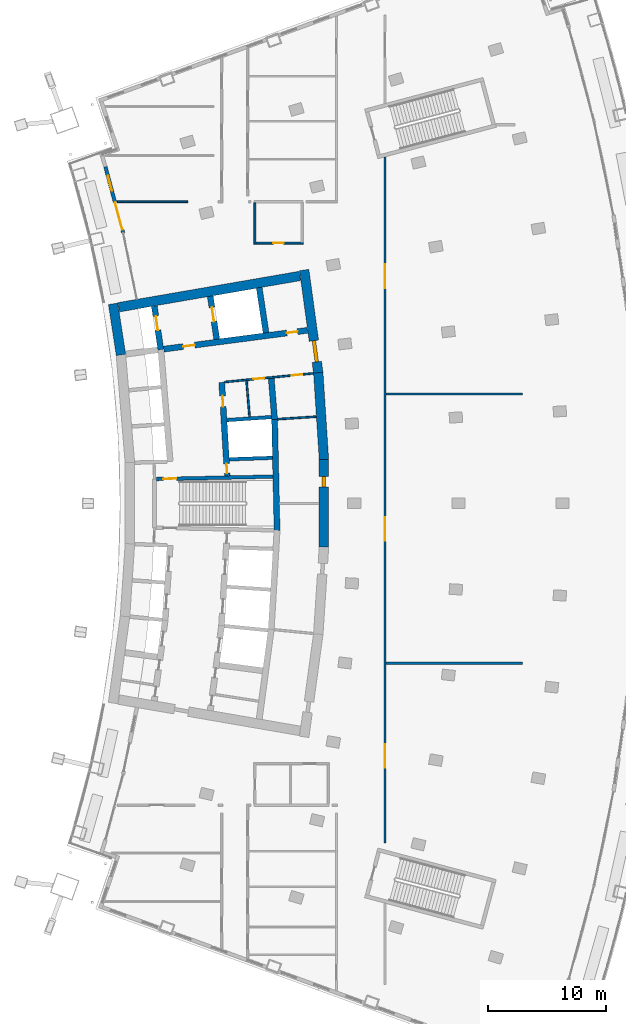
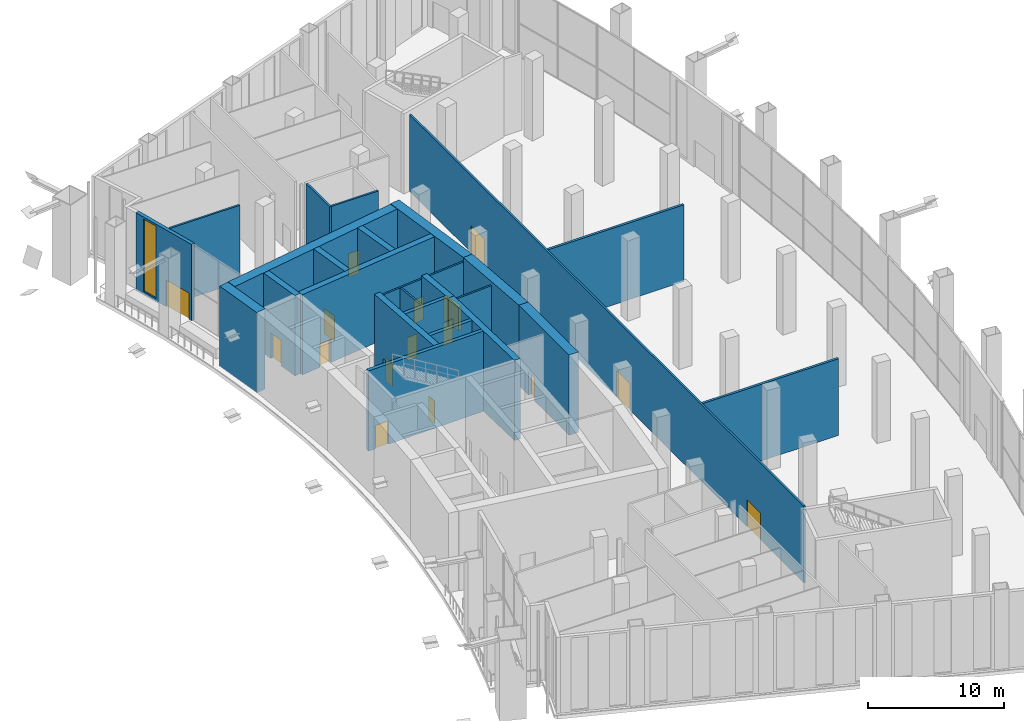
# One storey, part 18 of 27: 25 walls, 16 doors, 1 window, 17 openings.
"""IFC4 building model written with IfcOpenShell, lengths in metres."""

from ifc_helpers import new_model, si_unit, direction, frame, frame_2d, origin, place, context, subcontext, project, spatial, rectangle, extrude, material, layer, layer_set, type_object, element, fill, save


model = new_model("IFC4")

# Units and contexts
model_context = context("Model", 3, precision=1e-05, world=origin(), true_north=direction((0.0, 1.0)))
body_context = subcontext(model_context, "Body", "Model", "MODEL_VIEW")
ifc_project = project(units=[si_unit("LENGTHUNIT", "METRE"), si_unit("AREAUNIT", "SQUARE_METRE"), si_unit("VOLUMEUNIT", "CUBIC_METRE"), si_unit("PLANEANGLEUNIT", "RADIAN"), si_unit("MASSUNIT", "GRAM", prefix="KILO")], contexts=[model_context])

# Site, building, storey
site_placement = place(None, origin())
site = spatial("IfcSite", under=ifc_project, at=site_placement, CompositionType="ELEMENT")
building_placement = place(site_placement, origin())
building = spatial("IfcBuilding", under=site, at=building_placement, Name="Alderwake Tower", CompositionType="ELEMENT")
storey_placement = place(building_placement, frame((0.0, 0.0, 75.199951171875)))
storey = spatial("IfcBuildingStorey", under=building, at=storey_placement, Name="L18", CompositionType="ELEMENT", Elevation=75.199951171875)

# Walls
ifc_material_1 = material(Name="Gypsum shaft wall system, rated")
ifc_layer_1 = layer(ifc_material_1, 0.14990234375)
ifc_layer_set_1 = layer_set([ifc_layer_1], Name="Core room partition 150")
wall_type_1 = type_object("IfcWallType", Name="Core room partition 150", PredefinedType="PARTITIONING", material=ifc_layer_set_1)
wall_1_placement = place(storey_placement, frame((26.94970703125, 68.3203125, 0.0), z_axis=(0.0, 0.0, 1.0), x_axis=(-0.082463525817, 0.996594083321, 0.0)))
element("IfcWall", 1, at=wall_1_placement, inside=storey, type_object=wall_type_1, Name="CW/L18/PA+107_+70", PredefinedType="PARTITIONING", context=body_context, shape_type="SweptSolid", body=[
    extrude(rectangle(XDim=3.055419921875, YDim=0.14990234375, at=frame_2d((1.52783203125, 0.0))), origin(), (0.0, 0.0, 1.0), 6.880126953125),
])
wall_2_placement = place(storey_placement, frame((29.318603515625, 68.11865234375, 0.0), z_axis=(0.0, 0.0, 1.0), x_axis=(0.997885072108, 0.065002945035, 0.0)))
element("IfcWall", 2, at=wall_2_placement, inside=storey, type_object=wall_type_1, Name="CW/L18/PR+68_+128", PredefinedType="PARTITIONING", context=body_context, shape_type="SweptSolid", body=[
    extrude(rectangle(XDim=3.260009765625, YDim=0.14990234375, at=frame_2d((1.6298828125, 0.0))), origin(), (0.0, 0.0, 1.0), 6.880126953125),
])

# Wall, openings, doors
wall_3_placement = place(storey_placement, frame((32.333251953125, 71.991943359375, 0.0), z_axis=(0.0, 0.0, 1.0), x_axis=(-0.995248348328, -0.097369015353, 0.0)))
wall_3 = element("IfcWall", 3, at=wall_3_placement, inside=storey, type_object=wall_type_1, Name="CW/L18/PR+102_+86", PredefinedType="PARTITIONING", context=body_context, shape_type="SweptSolid", body=[
    extrude(rectangle(XDim=7.51953125, YDim=0.14990234375, at=frame_2d((3.759765625, 0.0))), origin(), (0.0, 0.0, 1.0), 6.880126953125),
])
opening_1_placement = place(wall_3_placement, frame((4.169921875, 0.0, 0.0)))
opening_1 = element("IfcOpeningElement", 4, at=opening_1_placement, cuts=wall_3, Name="Opening C022", PredefinedType="OPENING", context=body_context, shape_type="SweptSolid", body=[
    extrude(rectangle(XDim=0.89990234375, YDim=2.10009765625, at=frame_2d((0.449951171875, 1.050048828125))), frame((0.0, 0.0849609375, 0.0), z_axis=(0.0, -1.0, 0.0), x_axis=(1.0, 0.0, 0.0)), (0.0, 0.0, 1.0), 0.169921875),
])
opening_2_placement = place(wall_3_placement, frame((0.919921875, 0.0, 0.0)))
opening_2 = element("IfcOpeningElement", 5, at=opening_2_placement, cuts=wall_3, Name="Opening C036", PredefinedType="OPENING", context=body_context, shape_type="SweptSolid", body=[
    extrude(rectangle(XDim=0.89990234375, YDim=2.10009765625, at=frame_2d((0.449951171875, 1.050048828125))), frame((0.0, 0.0849609375, 0.0), z_axis=(0.0, -1.0, 0.0), x_axis=(1.0, 0.0, 0.0)), (0.0, 0.0, 1.0), 0.169921875),
])
ifc_material_2 = material(Name="Painted steel leaf", Category="steel")
door_type_1 = type_object("IfcDoorType", Name="Core room door 900", OperationType="SINGLE_SWING_LEFT", PredefinedType="DOOR", material=ifc_material_2)
door_1_placement = place(opening_1_placement, origin())
door_1 = element("IfcDoor", 6, at=door_1_placement, inside=storey, type_object=door_type_1, Name="Room door", OperationType="SINGLE_SWING_RIGHT", OverallHeight=2.10009765625, OverallWidth=0.89990234375, PredefinedType="DOOR", context=body_context, shape_type="SweptSolid", body=[
    extrude(rectangle(XDim=0.89990234375, YDim=2.10009765625, at=frame_2d((0.449951171875, 1.050048828125))), frame((0.0, 0.02490234375, 0.0), z_axis=(0.0, -1.0, 0.0), x_axis=(1.0, 0.0, 0.0)), (0.0, 0.0, 1.0), 0.050048828125),
])
fill(opening_1, door_1)
door_2_placement = place(opening_2_placement, origin())
door_2 = element("IfcDoor", 7, at=door_2_placement, inside=storey, type_object=door_type_1, Name="Room door", OperationType="SINGLE_SWING_RIGHT", OverallHeight=2.10009765625, OverallWidth=0.89990234375, PredefinedType="DOOR", context=body_context, shape_type="SweptSolid", body=[
    extrude(rectangle(XDim=0.89990234375, YDim=2.10009765625, at=frame_2d((0.449951171875, 1.050048828125))), frame((0.0, 0.02490234375, 0.0), z_axis=(0.0, -1.0, 0.0), x_axis=(1.0, 0.0, 0.0)), (0.0, 0.0, 1.0), 0.050048828125),
])
fill(opening_2, door_2)

# Wall
ifc_material_3 = material(Name="Concrete C70/85", Category="concrete")
ifc_layer_2 = layer(ifc_material_3, 0.800048828125)
ifc_layer_set_2 = layer_set([ifc_layer_2], Name="Core wall outer 800 C70-85")
wall_type_2 = type_object("IfcWallType", Name="Core wall outer 800 C70-85", PredefinedType="SHEAR", material=ifc_layer_set_2)
wall_4_placement = place(storey_placement, frame((16.083984375, 73.552490234375, 0.0), z_axis=(0.0, 0.0, 1.0), x_axis=(-0.151981606421, 0.988383322052, 0.0)))
element("IfcWall", 8, at=wall_4_placement, inside=storey, type_object=wall_type_2, Name="Core wall CW.039", PredefinedType="SHEAR", context=body_context, shape_type="SweptSolid", body=[
    extrude(rectangle(XDim=4.369384765625, YDim=0.800048828125, at=frame_2d((2.1845703125, 0.0))), origin(), (0.0, 0.0, 1.0), 7.199951171875),
])

# Wall, opening, door
wall_5_placement = place(storey_placement, frame((33.239990234375, 64.69677734375, 0.0), z_axis=(0.0, 0.0, 1.0), x_axis=(0.0, -1.0, 0.0)))
wall_5 = element("IfcWall", 9, at=wall_5_placement, inside=storey, type_object=wall_type_2, Name="Core wall CW.013", PredefinedType="SHEAR", context=body_context, shape_type="SweptSolid", body=[
    extrude(rectangle(XDim=7.3935546875, YDim=0.800048828125, at=frame_2d((3.69677734375, 0.0))), origin(), (0.0, 0.0, 1.0), 7.199951171875),
])
opening_3_placement = place(wall_5_placement, frame((1.40478515625, 0.0, 0.0)))
opening_3 = element("IfcOpeningElement", 10, at=opening_3_placement, cuts=wall_5, Name="Opening C033", PredefinedType="OPENING", context=body_context, shape_type="SweptSolid", body=[
    extrude(rectangle(XDim=0.89990234375, YDim=2.10009765625, at=frame_2d((0.449951171875, 1.050048828125))), frame((0.0, 0.409912109375, 0.0), z_axis=(0.0, -1.0, 0.0), x_axis=(1.0, 0.0, 0.0)), (0.0, 0.0, 1.0), 0.820068359375),
])
door_3_placement = place(opening_3_placement, origin())
door_3 = element("IfcDoor", 11, at=door_3_placement, inside=storey, type_object=door_type_1, Name="Room door", OperationType="SINGLE_SWING_LEFT", OverallHeight=2.10009765625, OverallWidth=0.89990234375, PredefinedType="DOOR", context=body_context, shape_type="SweptSolid", body=[
    extrude(rectangle(XDim=0.89990234375, YDim=2.10009765625, at=frame_2d((0.449951171875, 1.050048828125))), frame((0.0, 0.14990234375, 0.0), z_axis=(0.0, -1.0, 0.0), x_axis=(1.0, 0.0, 0.0)), (0.0, 0.0, 1.0), 0.300048828125),
])
fill(opening_3, door_3)

# Wall
wall_6_placement = place(storey_placement, frame((33.240966796875, 64.669677734375, 0.0), z_axis=(0.0, 0.0, 1.0), x_axis=(-0.064976219143, 0.997886812693, 0.0)))
element("IfcWall", 12, at=wall_6_placement, inside=storey, type_object=wall_type_2, Name="Core wall CW.010", PredefinedType="SHEAR", context=body_context, shape_type="SweptSolid", body=[
    extrude(rectangle(XDim=7.39453125, YDim=0.800048828125, at=frame_2d((3.697265625, 0.0))), origin(), (0.0, 0.0, 1.0), 7.199951171875),
])

# Wall, opening, door
wall_7_placement = place(storey_placement, frame((31.569580078125, 80.7265625, 0.0), z_axis=(0.0, 0.0, 1.0), x_axis=(0.135838347444, -0.990731014637, 0.0)))
wall_7 = element("IfcWall", 13, at=wall_7_placement, inside=storey, type_object=wall_type_2, Name="Core wall CW.009", PredefinedType="SHEAR", context=body_context, shape_type="SweptSolid", body=[
    extrude(rectangle(XDim=8.788818359375, YDim=0.800048828125, at=frame_2d((4.39453125, 0.0))), origin(), (0.0, 0.0, 1.0), 7.199951171875),
])
opening_4_placement = place(wall_7_placement, frame((6.032958984375, 0.0, 0.0)))
opening_4 = element("IfcOpeningElement", 14, at=opening_4_placement, cuts=wall_7, Name="Opening C001", PredefinedType="OPENING", context=body_context, shape_type="SweptSolid", body=[
    extrude(rectangle(XDim=1.800048828125, YDim=2.10009765625, at=frame_2d((0.89990234375, 1.050048828125))), frame((0.0, 0.409912109375, 0.0), z_axis=(0.0, -1.0, 0.0), x_axis=(1.0, 0.0, 0.0)), (0.0, 0.0, 1.0), 0.820068359375),
])
ifc_material_4 = material(Name="Steel-framed fire door leaves", Category="steel")
door_type_2 = type_object("IfcDoorType", Name="Core double door 1800 fire-rated", OperationType="DOUBLE_DOOR_SINGLE_SWING", PredefinedType="DOOR", material=ifc_material_4)
door_4_placement = place(opening_4_placement, origin())
door_4 = element("IfcDoor", 15, at=door_4_placement, inside=storey, type_object=door_type_2, Name="Lobby double door", OperationType="DOUBLE_DOOR_SINGLE_SWING", OverallHeight=2.10009765625, OverallWidth=1.800048828125, PredefinedType="DOOR", context=body_context, shape_type="SweptSolid", body=[
    extrude(rectangle(XDim=1.800048828125, YDim=2.10009765625, at=frame_2d((0.89990234375, 1.050048828125))), frame((0.0, 0.14990234375, 0.0), z_axis=(0.0, -1.0, 0.0), x_axis=(1.0, 0.0, 0.0)), (0.0, 0.0, 1.0), 0.300048828125),
])
fill(opening_4, door_4)

# Walls
wall_8_placement = place(storey_placement, frame((15.900146484375, 77.577880859375, 0.0), z_axis=(0.0, 0.0, 1.0), x_axis=(0.985386601125, 0.170332751763, 0.0)))
element("IfcWall", 16, at=wall_8_placement, inside=storey, type_object=wall_type_2, Name="Core wall CW.054", PredefinedType="SHEAR", context=body_context, shape_type="SweptSolid", body=[
    extrude(rectangle(XDim=15.531494140625, YDim=0.800048828125, at=frame_2d((7.765625, 0.0))), origin(), (0.0, 0.0, 1.0), 7.199951171875),
])
ifc_material_5 = material(Name="Concrete C70/85", Category="concrete")
ifc_layer_3 = layer(ifc_material_5, 0.300048828125)
ifc_layer_set_3 = layer_set([ifc_layer_3], Name="Core wall shaft 300 C70-85")
wall_type_3 = type_object("IfcWallType", Name="Core wall shaft 300 C70-85", PredefinedType="SHEAR", material=ifc_layer_set_3)
wall_9_placement = place(storey_placement, frame((25.2412109375, 64.725341796875, 0.0), z_axis=(0.0, 0.0, 1.0), x_axis=(0.999374468163, 0.035364846723, 0.0)))
element("IfcWall", 17, at=wall_9_placement, inside=storey, type_object=wall_type_3, Name="Core wall CW.060", PredefinedType="SHEAR", context=body_context, shape_type="SweptSolid", body=[
    extrude(rectangle(XDim=3.65185546875, YDim=0.300048828125, at=frame_2d((1.825927734375, 0.0))), origin(), (0.0, 0.0, 1.0), 7.199951171875),
])
wall_10_placement = place(storey_placement, frame((25.042236328125, 68.0419921875, 0.0), z_axis=(0.0, 0.0, 1.0), x_axis=(0.997758420026, 0.066918870789, 0.0)))
element("IfcWall", 18, at=wall_10_placement, inside=storey, type_object=wall_type_3, Name="Core wall CW.063", PredefinedType="SHEAR", context=body_context, shape_type="SweptSolid", body=[
    extrude(rectangle(XDim=3.768798828125, YDim=0.300048828125, at=frame_2d((1.88427734375, 0.0))), origin(), (0.0, 0.0, 1.0), 7.199951171875),
])

# Wall, opening, door
ifc_material_6 = material(Name="Concrete C70/85", Category="concrete")
ifc_layer_4 = layer(ifc_material_6, 0.5)
ifc_layer_set_4 = layer_set([ifc_layer_4], Name="Core wall spine 500 C70-85")
wall_type_4 = type_object("IfcWallType", Name="Core wall spine 500 C70-85", PredefinedType="SHEAR", material=ifc_layer_set_4)
wall_11_placement = place(storey_placement, frame((19.4541015625, 73.9990234375, 0.0), z_axis=(0.0, 0.0, 1.0), x_axis=(-0.14792928808, 0.988997940204, 0.0)))
wall_11 = element("IfcWall", 19, at=wall_11_placement, inside=storey, type_object=wall_type_4, Name="Core wall CW.030", PredefinedType="SHEAR", context=body_context, shape_type="SweptSolid", body=[
    extrude(rectangle(XDim=3.716552734375, YDim=0.5, at=frame_2d((1.8583984375, 0.0))), origin(), (0.0, 0.0, 1.0), 7.199951171875),
])
opening_5_placement = place(wall_11_placement, frame((1.66259765625, 0.0, 0.0)))
opening_5 = element("IfcOpeningElement", 20, at=opening_5_placement, cuts=wall_11, Name="Opening LD-FF1", PredefinedType="OPENING", context=body_context, shape_type="SweptSolid", body=[
    extrude(rectangle(XDim=1.199951171875, YDim=2.300048828125, at=frame_2d((0.60009765625, 1.14990234375))), frame((0.0, 0.260009765625, 0.0), z_axis=(0.0, -1.0, 0.0), x_axis=(1.0, 0.0, 0.0)), (0.0, 0.0, 1.0), 0.52001953125),
])
ifc_material_7 = material(Name="Stainless steel sliding leaf", Category="steel")
door_type_3 = type_object("IfcDoorType", Name="Lift landing door 1200", OperationType="SLIDING_TO_LEFT", PredefinedType="DOOR", material=ifc_material_7)
door_5_placement = place(opening_5_placement, origin())
door_5 = element("IfcDoor", 21, at=door_5_placement, inside=storey, type_object=door_type_3, Name="Lift landing door FF1", OperationType="SLIDING_TO_LEFT", OverallHeight=2.300048828125, OverallWidth=1.199951171875, PredefinedType="DOOR", context=body_context, shape_type="SweptSolid", body=[
    extrude(rectangle(XDim=1.199951171875, YDim=2.300048828125, at=frame_2d((0.60009765625, 1.14990234375))), frame((0.0, 0.02490234375, 0.0), z_axis=(0.0, -1.0, 0.0), x_axis=(1.0, 0.0, 0.0)), (0.0, 0.0, 1.0), 0.050048828125),
])
fill(opening_5, door_5)

# Wall, openings, doors
wall_12_placement = place(storey_placement, frame((25.073974609375, 63.335693359375, 0.0), z_axis=(0.0, 0.0, 1.0), x_axis=(-0.059848641072, 0.998207463487, 0.0)))
wall_12 = element("IfcWall", 22, at=wall_12_placement, inside=storey, type_object=wall_type_4, Name="Core wall CW.045", PredefinedType="SHEAR", context=body_context, shape_type="SweptSolid", body=[
    extrude(rectangle(XDim=7.913818359375, YDim=0.5, at=frame_2d((3.95703125, 0.0))), origin(), (0.0, 0.0, 1.0), 7.199951171875),
])
opening_6_placement = place(wall_12_placement, frame((0.216064453125, 0.0, 0.0)))
opening_6 = element("IfcOpeningElement", 23, at=opening_6_placement, cuts=wall_12, Name="Opening C005", PredefinedType="OPENING", context=body_context, shape_type="SweptSolid", body=[
    extrude(rectangle(XDim=0.800048828125, YDim=2.0, at=frame_2d((0.39990234375, 1.0))), frame((0.0, 0.260009765625, 0.0), z_axis=(0.0, -1.0, 0.0), x_axis=(1.0, 0.0, 0.0)), (0.0, 0.0, 1.0), 0.52001953125),
])
opening_7_placement = place(wall_12_placement, frame((5.856201171875, 0.0, 0.0)))
opening_7 = element("IfcOpeningElement", 24, at=opening_7_placement, cuts=wall_12, Name="Opening C024", PredefinedType="OPENING", context=body_context, shape_type="SweptSolid", body=[
    extrude(rectangle(XDim=0.89990234375, YDim=2.10009765625, at=frame_2d((0.449951171875, 1.050048828125))), frame((0.0, 0.260009765625, 0.0), z_axis=(0.0, -1.0, 0.0), x_axis=(1.0, 0.0, 0.0)), (0.0, 0.0, 1.0), 0.52001953125),
])
door_6_placement = place(opening_7_placement, origin())
door_6 = element("IfcDoor", 25, at=door_6_placement, inside=storey, type_object=door_type_1, Name="Room door", OperationType="SINGLE_SWING_LEFT", OverallHeight=2.10009765625, OverallWidth=0.89990234375, PredefinedType="DOOR", context=body_context, shape_type="SweptSolid", body=[
    extrude(rectangle(XDim=0.89990234375, YDim=2.10009765625, at=frame_2d((0.449951171875, 1.050048828125))), frame((0.0, 0.02490234375, 0.0), z_axis=(0.0, -1.0, 0.0), x_axis=(1.0, 0.0, 0.0)), (0.0, 0.0, 1.0), 0.050048828125),
])
fill(opening_7, door_6)
ifc_material_8 = material(Name="Painted steel leaf, rated", Category="steel")
door_type_4 = type_object("IfcDoorType", Name="Riser access door 800", OperationType="SINGLE_SWING_LEFT", PredefinedType="DOOR", material=ifc_material_8)
door_7_placement = place(opening_6_placement, origin())
door_7 = element("IfcDoor", 26, at=door_7_placement, inside=storey, type_object=door_type_4, Name="Riser access door", OperationType="SINGLE_SWING_LEFT", OverallHeight=2.0, OverallWidth=0.800048828125, PredefinedType="DOOR", context=body_context, shape_type="SweptSolid", body=[
    extrude(rectangle(XDim=0.800048828125, YDim=2.0, at=frame_2d((0.39990234375, 1.0))), frame((0.0, 0.02490234375, 0.0), z_axis=(0.0, -1.0, 0.0), x_axis=(1.0, 0.0, 0.0)), (0.0, 0.0, 1.0), 0.050048828125),
])
fill(opening_6, door_7)

# Wall, opening, door
wall_13_placement = place(storey_placement, frame((24.1796875, 74.878173828125, 0.0), z_axis=(0.0, 0.0, 1.0), x_axis=(-0.149334835296, 0.988786684259, 0.0)))
wall_13 = element("IfcWall", 27, at=wall_13_placement, inside=storey, type_object=wall_type_4, Name="Core wall CW.044", PredefinedType="SHEAR", context=body_context, shape_type="SweptSolid", body=[
    extrude(rectangle(XDim=3.673583984375, YDim=0.5, at=frame_2d((1.8369140625, 0.0))), origin(), (0.0, 0.0, 1.0), 7.199951171875),
])
opening_8_placement = place(wall_13_placement, frame((1.51171875, 0.0, 0.0)))
opening_8 = element("IfcOpeningElement", 28, at=opening_8_placement, cuts=wall_13, Name="Opening LD-FF2", PredefinedType="OPENING", context=body_context, shape_type="SweptSolid", body=[
    extrude(rectangle(XDim=1.199951171875, YDim=2.300048828125, at=frame_2d((0.60009765625, 1.14990234375))), frame((0.0, 0.260009765625, 0.0), z_axis=(0.0, -1.0, 0.0), x_axis=(1.0, 0.0, 0.0)), (0.0, 0.0, 1.0), 0.52001953125),
])
door_8_placement = place(opening_8_placement, origin())
door_8 = element("IfcDoor", 29, at=door_8_placement, inside=storey, type_object=door_type_3, Name="Lift landing door FF2", OperationType="SLIDING_TO_LEFT", OverallHeight=2.300048828125, OverallWidth=1.199951171875, PredefinedType="DOOR", context=body_context, shape_type="SweptSolid", body=[
    extrude(rectangle(XDim=1.199951171875, YDim=2.300048828125, at=frame_2d((0.60009765625, 1.14990234375))), frame((0.0, 0.02490234375, 0.0), z_axis=(0.0, -1.0, 0.0), x_axis=(1.0, 0.0, 0.0)), (0.0, 0.0, 1.0), 0.050048828125),
])
fill(opening_8, door_8)

# Walls
wall_14_placement = place(storey_placement, frame((29.276611328125, 58.71630859375, 0.0), z_axis=(0.0, 0.0, 1.0), x_axis=(-0.022111127054, 0.999755519145, 0.0)))
element("IfcWall", 30, at=wall_14_placement, inside=storey, type_object=wall_type_4, Name="Core wall CW.007", PredefinedType="SHEAR", context=body_context, shape_type="SweptSolid", body=[
    extrude(rectangle(XDim=9.396240234375, YDim=0.5, at=frame_2d((4.6982421875, 0.0))), origin(), (0.0, 0.0, 1.0), 7.199951171875),
])
wall_15_placement = place(storey_placement, frame((29.069580078125, 68.094482421875, 0.0), z_axis=(0.0, 0.0, 1.0), x_axis=(-0.080877914698, 0.99672401542, 0.0)))
element("IfcWall", 31, at=wall_15_placement, inside=storey, type_object=wall_type_4, Name="Core wall CW.003", PredefinedType="SHEAR", context=body_context, shape_type="SweptSolid", body=[
    extrude(rectangle(XDim=3.486572265625, YDim=0.5, at=frame_2d((1.7431640625, 0.0))), origin(), (0.0, 0.0, 1.0), 7.199951171875),
])
wall_16_placement = place(storey_placement, frame((28.34423828125, 75.4228515625, 0.0), z_axis=(0.0, 0.0, 1.0), x_axis=(-0.14943460482, 0.988771611082, 0.0)))
element("IfcWall", 32, at=wall_16_placement, inside=storey, type_object=wall_type_4, Name="Core wall CW.001", PredefinedType="SHEAR", context=body_context, shape_type="SweptSolid", body=[
    extrude(rectangle(XDim=3.8623046875, YDim=0.5, at=frame_2d((1.93115234375, 0.0))), origin(), (0.0, 0.0, 1.0), 7.199951171875),
])

# Wall, openings, doors
wall_17_placement = place(storey_placement, frame((31.834716796875, 75.627197265625, 0.0), z_axis=(0.0, 0.0, 1.0), x_axis=(-0.991555516999, -0.129682908318, 0.0)))
wall_17 = element("IfcWall", 33, at=wall_17_placement, inside=storey, type_object=wall_type_4, Name="Core wall CW.052", PredefinedType="SHEAR", context=body_context, shape_type="SweptSolid", body=[
    extrude(rectangle(XDim=12.23681640625, YDim=0.5, at=frame_2d((6.118408203125, 0.0))), origin(), (0.0, 0.0, 1.0), 7.199951171875),
])
opening_9_placement = place(wall_17_placement, frame((9.587158203125, 0.0, 0.0)))
opening_9 = element("IfcOpeningElement", 34, at=opening_9_placement, cuts=wall_17, Name="Opening C002", PredefinedType="OPENING", context=body_context, shape_type="SweptSolid", body=[
    extrude(rectangle(XDim=1.0, YDim=2.10009765625, at=frame_2d((0.5, 1.050048828125))), frame((0.0, 0.260009765625, 0.0), z_axis=(0.0, -1.0, 0.0), x_axis=(1.0, 0.0, 0.0)), (0.0, 0.0, 1.0), 0.52001953125),
])
opening_10_placement = place(wall_17_placement, frame((0.837158203125, 0.0, 0.0)))
opening_10 = element("IfcOpeningElement", 35, at=opening_10_placement, cuts=wall_17, Name="Opening C020", PredefinedType="OPENING", context=body_context, shape_type="SweptSolid", body=[
    extrude(rectangle(XDim=0.89990234375, YDim=2.10009765625, at=frame_2d((0.449951171875, 1.050048828125))), frame((0.0, 0.260009765625, 0.0), z_axis=(0.0, -1.0, 0.0), x_axis=(1.0, 0.0, 0.0)), (0.0, 0.0, 1.0), 0.52001953125),
])
door_9_placement = place(opening_10_placement, origin())
door_9 = element("IfcDoor", 36, at=door_9_placement, inside=storey, type_object=door_type_1, Name="Room door", OperationType="SINGLE_SWING_LEFT", OverallHeight=2.10009765625, OverallWidth=0.89990234375, PredefinedType="DOOR", context=body_context, shape_type="SweptSolid", body=[
    extrude(rectangle(XDim=0.89990234375, YDim=2.10009765625, at=frame_2d((0.449951171875, 1.050048828125))), frame((0.0, 0.02490234375, 0.0), z_axis=(0.0, -1.0, 0.0), x_axis=(1.0, 0.0, 0.0)), (0.0, 0.0, 1.0), 0.050048828125),
])
fill(opening_10, door_9)
ifc_material_9 = material(Name="Steel-framed fire door leaf", Category="steel")
door_type_5 = type_object("IfcDoorType", Name="Firefighting lobby door 1000 fire-rated", OperationType="SINGLE_SWING_LEFT", PredefinedType="DOOR", material=ifc_material_9)
door_10_placement = place(opening_9_placement, origin())
door_10 = element("IfcDoor", 37, at=door_10_placement, inside=storey, type_object=door_type_5, Name="Firefighting lobby door", OperationType="SINGLE_SWING_RIGHT", OverallHeight=2.10009765625, OverallWidth=1.0, PredefinedType="DOOR", context=body_context, shape_type="SweptSolid", body=[
    extrude(rectangle(XDim=1.0, YDim=2.10009765625, at=frame_2d((0.5, 1.050048828125))), frame((0.0, 0.02490234375, 0.0), z_axis=(0.0, -1.0, 0.0), x_axis=(1.0, 0.0, 0.0)), (0.0, 0.0, 1.0), 0.050048828125),
])
fill(opening_9, door_10)

# Wall, opening, door
ifc_material_10 = material(Name="Concrete C70/85", Category="concrete")
ifc_layer_5 = layer(ifc_material_10, 0.300048828125)
ifc_layer_set_5 = layer_set([ifc_layer_5], Name="Core wall stair enclosure 300 C70-85")
wall_type_5 = type_object("IfcWallType", Name="Core wall stair enclosure 300 C70-85", PredefinedType="SHEAR", material=ifc_layer_set_5)
wall_18_placement = place(storey_placement, frame((19.068603515625, 63.060791015625, 0.0), z_axis=(0.0, 0.0, 1.0), x_axis=(0.999783647187, 0.02080045235, 0.0)))
wall_18 = element("IfcWall", 38, at=wall_18_placement, inside=storey, type_object=wall_type_5, Name="Core wall CW.057", PredefinedType="SHEAR", context=body_context, shape_type="SweptSolid", body=[
    extrude(rectangle(XDim=9.859375, YDim=0.300048828125, at=frame_2d((4.9296875, 0.0))), origin(), (0.0, 0.0, 1.0), 7.199951171875),
])
opening_11_placement = place(wall_18_placement, frame((0.60009765625, 0.0, 0.0)))
opening_11 = element("IfcOpeningElement", 39, at=opening_11_placement, cuts=wall_18, Name="Opening C064", PredefinedType="OPENING", context=body_context, shape_type="SweptSolid", body=[
    extrude(rectangle(XDim=1.10009765625, YDim=2.10009765625, at=frame_2d((0.550048828125, 1.050048828125))), frame((0.0, 0.159912109375, 0.0), z_axis=(0.0, -1.0, 0.0), x_axis=(1.0, 0.0, 0.0)), (0.0, 0.0, 1.0), 0.320068359375),
])
ifc_material_11 = material(Name="Steel-framed fire door leaf", Category="steel")
door_type_6 = type_object("IfcDoorType", Name="Core stair door 1100 fire-rated", OperationType="SINGLE_SWING_LEFT", PredefinedType="DOOR", material=ifc_material_11)
door_11_placement = place(opening_11_placement, origin())
door_11 = element("IfcDoor", 40, at=door_11_placement, inside=storey, type_object=door_type_6, Name="Stair door", OperationType="SINGLE_SWING_RIGHT", OverallHeight=2.10009765625, OverallWidth=1.10009765625, PredefinedType="DOOR", context=body_context, shape_type="SweptSolid", body=[
    extrude(rectangle(XDim=1.10009765625, YDim=2.10009765625, at=frame_2d((0.550048828125, 1.050048828125))), frame((0.0, 0.02490234375, 0.0), z_axis=(0.0, -1.0, 0.0), x_axis=(1.0, 0.0, 0.0)), (0.0, 0.0, 1.0), 0.050048828125),
])
fill(opening_11, door_11)

# Walls
ifc_material_12 = material(Name="Gypsum board on metal studs, rated")
ifc_layer_6 = layer(ifc_material_12, 0.159912109375)
ifc_layer_set_6 = layer_set([ifc_layer_6], Name="Corridor wall 160")
wall_type_6 = type_object("IfcWallType", Name="Corridor wall 160", PredefinedType="PARTITIONING", material=ifc_layer_set_6)
wall_19_placement = place(storey_placement, frame((21.72607421875, 86.4990234375, 0.0), z_axis=(0.0, 0.0, 1.0), x_axis=(-1.0, 0.0, 0.0)))
element("IfcWall", 41, at=wall_19_placement, inside=storey, type_object=wall_type_6, Name="WL/L18/W07", PredefinedType="PARTITIONING", context=body_context, shape_type="SweptSolid", body=[
    extrude(rectangle(XDim=5.944091796875, YDim=0.159912109375, at=frame_2d((2.97216796875, 0.0))), origin(), (0.0, 0.0, 1.0), 6.880126953125),
])
wall_20_placement = place(storey_placement, frame((27.39892578125, 82.9208984375, 0.0), z_axis=(0.0, 0.0, 1.0), x_axis=(0.0, 1.0, 0.0)))
element("IfcWall", 42, at=wall_20_placement, inside=storey, type_object=wall_type_6, Name="WL/L18/W17", PredefinedType="PARTITIONING", context=body_context, shape_type="SweptSolid", body=[
    extrude(rectangle(XDim=3.47802734375, YDim=0.159912109375, at=frame_2d((1.739013671875, 0.0))), origin(), (0.0, 0.0, 1.0), 6.880126953125),
])

# Wall, opening, door
wall_21_placement = place(storey_placement, frame((31.48095703125, 83.0009765625, 0.0), z_axis=(0.0, 0.0, 1.0), x_axis=(-1.0, 0.0, 0.0)))
wall_21 = element("IfcWall", 43, at=wall_21_placement, inside=storey, type_object=wall_type_6, Name="WL/L18/W19", PredefinedType="PARTITIONING", context=body_context, shape_type="SweptSolid", body=[
    extrude(rectangle(XDim=4.001953125, YDim=0.159912109375, at=frame_2d((2.0009765625, 0.0))), origin(), (0.0, 0.0, 1.0), 6.880126953125),
])
opening_12_placement = place(wall_21_placement, frame((1.631103515625, 0.0, 0.0)))
opening_12 = element("IfcOpeningElement", 44, at=opening_12_placement, cuts=wall_21, Name="Opening L18-22", PredefinedType="OPENING", context=body_context, shape_type="SweptSolid", body=[
    extrude(rectangle(XDim=0.89990234375, YDim=2.10009765625, at=frame_2d((0.449951171875, 1.050048828125))), frame((0.0, 0.08984375, 0.0), z_axis=(0.0, -1.0, 0.0), x_axis=(1.0, 0.0, 0.0)), (0.0, 0.0, 1.0), 0.179931640625),
])
ifc_material_13 = material(Name="Painted timber leaf", Category="wood")
door_type_7 = type_object("IfcDoorType", Name="Room door 900", OperationType="SINGLE_SWING_LEFT", PredefinedType="DOOR", material=ifc_material_13)
door_12_placement = place(opening_12_placement, origin())
door_12 = element("IfcDoor", 45, at=door_12_placement, inside=storey, type_object=door_type_7, Name="DR/L18/22", OperationType="SINGLE_SWING_LEFT", OverallHeight=2.10009765625, OverallWidth=0.89990234375, PredefinedType="DOOR", context=body_context, shape_type="SweptSolid", body=[
    extrude(rectangle(XDim=0.89990234375, YDim=2.10009765625, at=frame_2d((0.449951171875, 1.050048828125))), frame((0.0, 0.02490234375, 0.0), z_axis=(0.0, -1.0, 0.0), x_axis=(1.0, 0.0, 0.0)), (0.0, 0.0, 1.0), 0.050048828125),
])
fill(opening_12, door_12)

# Wall, openings, doors
wall_22_placement = place(storey_placement, frame((38.39990234375, 32.31298828125, 0.0), z_axis=(0.0, 0.0, 1.0), x_axis=(0.0, 1.0, 0.0)))
wall_22 = element("IfcWall", 46, at=wall_22_placement, inside=storey, type_object=wall_type_6, Name="WL/L18/W27", PredefinedType="PARTITIONING", context=body_context, shape_type="SweptSolid", body=[
    extrude(rectangle(XDim=57.951904296875, YDim=0.159912109375, at=frame_2d((28.97607421875, 0.0))), origin(), (0.0, 0.0, 1.0), 6.880126953125),
])
opening_13_placement = place(wall_22_placement, frame((6.351318359375, 0.0, 0.0)))
opening_13 = element("IfcOpeningElement", 47, at=opening_13_placement, cuts=wall_22, Name="Opening L18-16", PredefinedType="OPENING", context=body_context, shape_type="SweptSolid", body=[
    extrude(rectangle(XDim=2.0, YDim=2.39990234375, at=frame_2d((1.0, 1.199951171875))), frame((0.0, 0.08984375, 0.0), z_axis=(0.0, -1.0, 0.0), x_axis=(1.0, 0.0, 0.0)), (0.0, 0.0, 1.0), 0.179931640625),
])
opening_14_placement = place(wall_22_placement, frame((25.537109375, 0.0, 0.0)))
opening_14 = element("IfcOpeningElement", 48, at=opening_14_placement, cuts=wall_22, Name="Opening L18-17", PredefinedType="OPENING", context=body_context, shape_type="SweptSolid", body=[
    extrude(rectangle(XDim=2.0, YDim=2.39990234375, at=frame_2d((1.0, 1.199951171875))), frame((0.0, 0.08984375, 0.0), z_axis=(0.0, -1.0, 0.0), x_axis=(1.0, 0.0, 0.0)), (0.0, 0.0, 1.0), 0.179931640625),
])
opening_15_placement = place(wall_22_placement, frame((46.886962890625, 0.0, 0.0)))
opening_15 = element("IfcOpeningElement", 49, at=opening_15_placement, cuts=wall_22, Name="Opening L18-18", PredefinedType="OPENING", context=body_context, shape_type="SweptSolid", body=[
    extrude(rectangle(XDim=2.0, YDim=2.39990234375, at=frame_2d((1.0, 1.199951171875))), frame((0.0, 0.08984375, 0.0), z_axis=(0.0, -1.0, 0.0), x_axis=(1.0, 0.0, 0.0)), (0.0, 0.0, 1.0), 0.179931640625),
])
ifc_material_14 = material(Name="Timber leaves with glazed panels", Category="wood")
door_type_8 = type_object("IfcDoorType", Name="Hall double door 2000", OperationType="DOUBLE_DOOR_SINGLE_SWING", PredefinedType="DOOR", material=ifc_material_14)
door_13_placement = place(opening_13_placement, origin())
door_13 = element("IfcDoor", 50, at=door_13_placement, inside=storey, type_object=door_type_8, Name="DR/L18/16", OperationType="DOUBLE_DOOR_SINGLE_SWING", OverallHeight=2.39990234375, OverallWidth=2.0, PredefinedType="DOOR", context=body_context, shape_type="SweptSolid", body=[
    extrude(rectangle(XDim=2.0, YDim=2.39990234375, at=frame_2d((1.0, 1.199951171875))), frame((0.0, 0.02490234375, 0.0), z_axis=(0.0, -1.0, 0.0), x_axis=(1.0, 0.0, 0.0)), (0.0, 0.0, 1.0), 0.050048828125),
])
fill(opening_13, door_13)
door_14_placement = place(opening_14_placement, origin())
door_14 = element("IfcDoor", 51, at=door_14_placement, inside=storey, type_object=door_type_8, Name="DR/L18/17", OperationType="DOUBLE_DOOR_SINGLE_SWING", OverallHeight=2.39990234375, OverallWidth=2.0, PredefinedType="DOOR", context=body_context, shape_type="SweptSolid", body=[
    extrude(rectangle(XDim=2.0, YDim=2.39990234375, at=frame_2d((1.0, 1.199951171875))), frame((0.0, 0.02490234375, 0.0), z_axis=(0.0, -1.0, 0.0), x_axis=(1.0, 0.0, 0.0)), (0.0, 0.0, 1.0), 0.050048828125),
])
fill(opening_14, door_14)
door_15_placement = place(opening_15_placement, origin())
door_15 = element("IfcDoor", 52, at=door_15_placement, inside=storey, type_object=door_type_8, Name="DR/L18/18", OperationType="DOUBLE_DOOR_SINGLE_SWING", OverallHeight=2.39990234375, OverallWidth=2.0, PredefinedType="DOOR", context=body_context, shape_type="SweptSolid", body=[
    extrude(rectangle(XDim=2.0, YDim=2.39990234375, at=frame_2d((1.0, 1.199951171875))), frame((0.0, 0.02490234375, 0.0), z_axis=(0.0, -1.0, 0.0), x_axis=(1.0, 0.0, 0.0)), (0.0, 0.0, 1.0), 0.050048828125),
])
fill(opening_15, door_15)

# Wall, openings, door, window
ifc_material_15 = material(Name="Precast concrete C50/60 spandrel panel", Category="concrete")
ifc_layer_7 = layer(ifc_material_15, 0.300048828125)
ifc_layer_set_7 = layer_set([ifc_layer_7], Name="External wall EW1 Precast concrete C50/60 spandrel")
wall_type_7 = type_object("IfcWallType", Name="External wall EW1 Precast concrete C50/60 spandrel", PredefinedType="SOLIDWALL", material=ifc_layer_set_7)
wall_23_placement = place(storey_placement, frame((14.771484375, 89.45166015625, 0.0), z_axis=(0.0, 0.0, 1.0), x_axis=(0.259487737496, -0.965746402576, 0.0)))
wall_23 = element("IfcWall", 53, at=wall_23_placement, inside=storey, type_object=wall_type_7, Name="External wall 3", PredefinedType="SOLIDWALL", context=body_context, shape_type="SweptSolid", body=[
    extrude(rectangle(XDim=5.768310546875, YDim=0.300048828125, at=frame_2d((2.88427734375, 0.0))), origin(), (0.0, 0.0, 1.0), 6.880126953125),
])
opening_16_placement = place(wall_23_placement, frame((0.7919921875, 0.0, 0.199951171875)))
opening_16 = element("IfcOpeningElement", 54, at=opening_16_placement, cuts=wall_23, Name="Opening W5", PredefinedType="OPENING", context=body_context, shape_type="SweptSolid", body=[
    extrude(rectangle(XDim=1.300048828125, YDim=6.5, at=frame_2d((0.64990234375, 3.25))), frame((0.0, 0.159912109375, 0.0), z_axis=(0.0, -1.0, 0.0), x_axis=(1.0, 0.0, 0.0)), (0.0, 0.0, 1.0), 0.320068359375),
])
opening_17_placement = place(wall_23_placement, frame((3.126220703125, 0.0, 0.0)))
opening_17 = element("IfcOpeningElement", 55, at=opening_17_placement, cuts=wall_23, Name="Opening D01", PredefinedType="OPENING", context=body_context, shape_type="SweptSolid", body=[
    extrude(rectangle(XDim=2.39990234375, YDim=2.39990234375, at=frame_2d((1.199951171875, 1.199951171875))), frame((0.0, 0.159912109375, 0.0), z_axis=(0.0, -1.0, 0.0), x_axis=(1.0, 0.0, 0.0)), (0.0, 0.0, 1.0), 0.320068359375),
])
ifc_material_16 = material(Name="Bronze tinted glass in aluminium frame", Category="aluminium")
door_type_9 = type_object("IfcDoorType", Name="Garden door GD sliding", OperationType="DOUBLE_DOOR_SINGLE_SWING", PredefinedType="DOOR", material=ifc_material_16)
door_16_placement = place(opening_17_placement, origin())
door_16 = element("IfcDoor", 56, at=door_16_placement, inside=storey, type_object=door_type_9, Name="Door D01", OperationType="DOUBLE_DOOR_SINGLE_SWING", OverallHeight=2.39990234375, OverallWidth=2.39990234375, PredefinedType="DOOR", context=body_context, shape_type="SweptSolid", body=[
    extrude(rectangle(XDim=2.39990234375, YDim=2.39990234375, at=frame_2d((1.199951171875, 1.199951171875))), frame((0.0, 0.02490234375, 0.0), z_axis=(0.0, -1.0, 0.0), x_axis=(1.0, 0.0, 0.0)), (0.0, 0.0, 1.0), 0.050048828125),
])
fill(opening_17, door_16)
ifc_material_17 = material(Name="Bronze tinted glass in aluminium frame", Category="aluminium")
window_type = type_object("IfcWindowType", Name="Window W5 garden floor tall", PartitioningType="SINGLE_PANEL", PredefinedType="WINDOW", material=ifc_material_17)
window_placement = place(opening_16_placement, origin())
window = element("IfcWindow", 57, at=window_placement, inside=storey, type_object=window_type, Name="Window W5 garden floor tall", OverallHeight=6.5, OverallWidth=1.300048828125, PartitioningType="SINGLE_PANEL", PredefinedType="WINDOW", context=body_context, shape_type="SweptSolid", body=[
    extrude(rectangle(XDim=1.300048828125, YDim=6.5, at=frame_2d((0.64990234375, 3.25))), frame((0.0, 0.030029296875, 0.0), z_axis=(0.0, -1.0, 0.0), x_axis=(1.0, 0.0, 0.0)), (0.0, 0.0, 1.0), 0.06005859375),
])
fill(opening_16, window)

# Walls
ifc_material_18 = material(Name="Dense block masonry wall", Category="masonry")
ifc_layer_8 = layer(ifc_material_18, 0.199951171875)
ifc_layer_set_8 = layer_set([ifc_layer_8], Name="Party wall 200")
wall_type_8 = type_object("IfcWallType", Name="Party wall 200", PredefinedType="SOLIDWALL", material=ifc_layer_set_8)
for number, where, z_axis, x_axis, name in (
    (58, (50.0009765625, 47.4990234375, 0.0), (0.0, 0.0, 1.0), (-1.0, 0.0, 0.0), "WL/L18/W03"),
    (59, (50.0009765625, 70.2509765625, 0.0), (0.0, 0.0, 1.0), (-1.0, 0.0, 0.0), "WL/L18/W04"),
):
    element("IfcWall", number, at=place(storey_placement, frame(where, z_axis=z_axis, x_axis=x_axis)), inside=storey, type_object=wall_type_8, Name=name, PredefinedType="SOLIDWALL", context=body_context, shape_type="SweptSolid", body=[
        extrude(rectangle(XDim=11.52099609375, YDim=0.199951171875, at=frame_2d((5.760498046875, 0.0))), origin(), (0.0, 0.0, 1.0), 6.880126953125),
    ])

save(model, "model.ifc")
